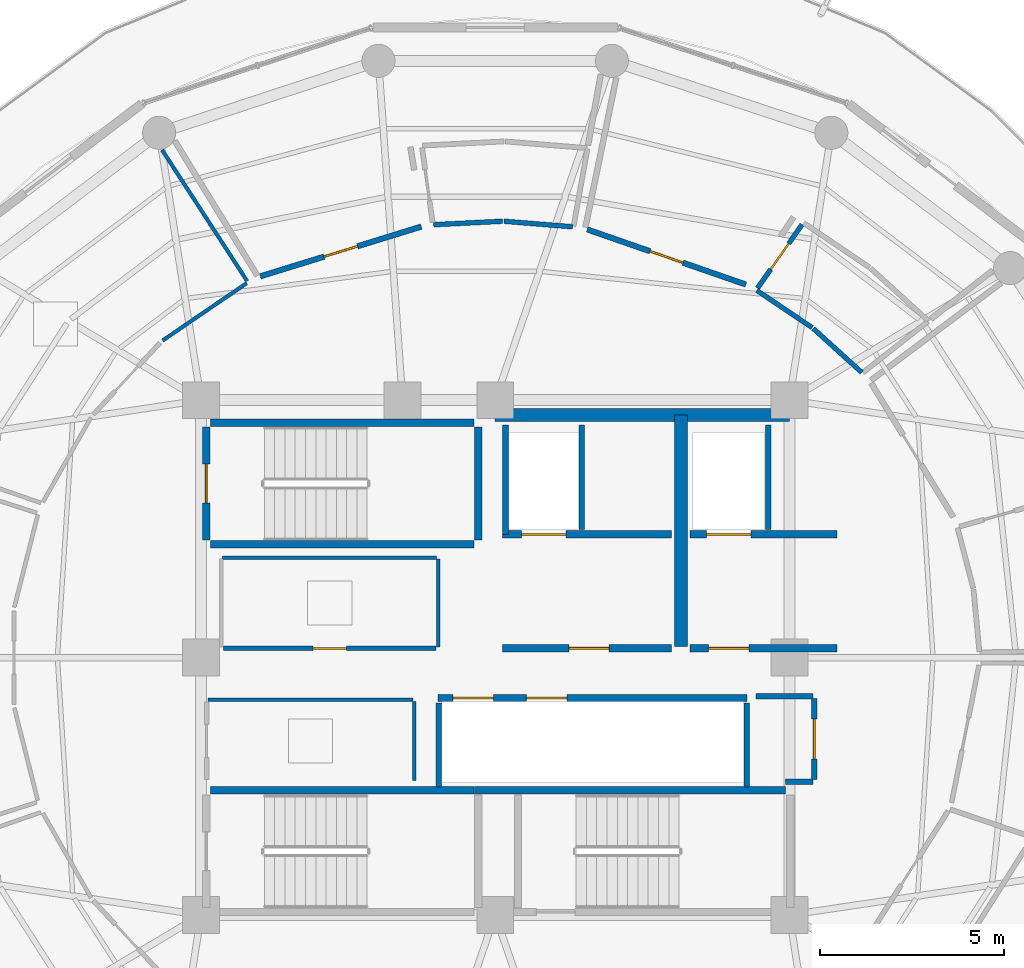
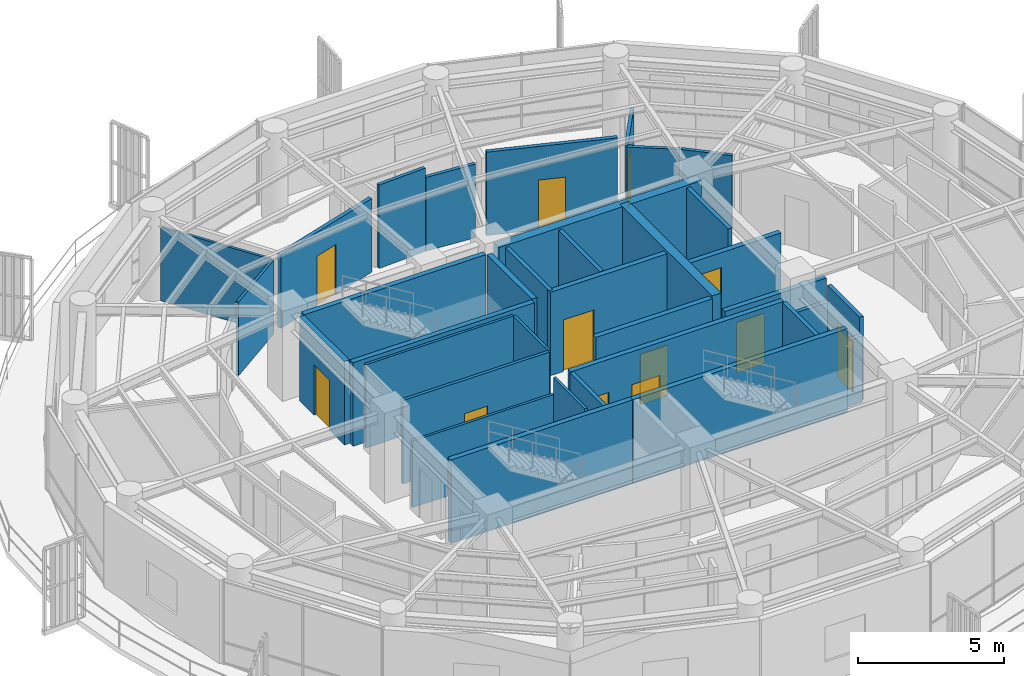
# One storey, part 17 of 23: 35 walls, 12 doors, 12 openings.
"""IFC4 building model written with IfcOpenShell, lengths in metres."""

from ifc_helpers import new_model, si_unit, direction, frame, frame_2d, origin, place, context, subcontext, project, spatial, rectangle, extrude, material, layer, layer_set, type_object, element, fill, save


model = new_model("IFC4")

# Units and contexts
model_context = context("Model", 3, precision=1e-05, world=origin(), true_north=direction((0.0, 1.0)))
body_context = subcontext(model_context, "Body", "Model", "MODEL_VIEW")
ifc_project = project(units=[si_unit("LENGTHUNIT", "METRE"), si_unit("AREAUNIT", "SQUARE_METRE"), si_unit("VOLUMEUNIT", "CUBIC_METRE"), si_unit("PLANEANGLEUNIT", "RADIAN"), si_unit("MASSUNIT", "GRAM", prefix="KILO")], contexts=[model_context])

# Site, building, storey
site_placement = place(None, origin())
site = spatial("IfcSite", under=ifc_project, at=site_placement, CompositionType="ELEMENT")
building_placement = place(site_placement, origin())
building = spatial("IfcBuilding", under=site, at=building_placement, Name="Kelanora Arch Commons", CompositionType="ELEMENT")
storey_placement = place(building_placement, frame((0.0, 0.0, 256.199951171875)))
storey = spatial("IfcBuildingStorey", under=building, at=storey_placement, Name="L65", CompositionType="ELEMENT", Elevation=256.199951171875)

# Walls
ifc_material_1 = material(Name="Autoclaved aerated concrete blockwork with fire plaster", Category="masonry")
ifc_layer_1 = layer(ifc_material_1, 0.14990234375)
ifc_layer_set_1 = layer_set([ifc_layer_1], Name="Autoclaved aerated concrete blockwork with fire plaster")
wall_type_1 = type_object("IfcWallType", Name="W-COMP-150", PredefinedType="PARTITIONING", material=ifc_layer_set_1)
wall_1_placement = place(storey_placement, frame((74.280029296875, 61.35009765625, 0.0), z_axis=(0.0, 0.0, 1.0), x_axis=(0.0, 1.0, 0.0)))
element("IfcWall", 1, at=wall_1_placement, inside=storey, type_object=wall_type_1, Name="Firefighting Lift 1 West Shaft Wall L65", PredefinedType="PARTITIONING", context=body_context, shape_type="SweptSolid", body=[
    extrude(rectangle(XDim=2.969970703125, YDim=0.14990234375, at=frame_2d((1.48486328125, 0.0))), origin(), (0.0, 0.0, 1.0), 3.47998046875),
])
for number, where, z_axis, x_axis, name in (
    (2, (76.360107421875, 61.47998046875, 0.0), (0.0, 0.0, 1.0), (0.0, 1.0, 0.0), "Firefighting Lift 1 East Shaft Wall L65"),
    (3, (81.419921875, 61.47998046875, 0.0), (0.0, 0.0, 1.0), (0.0, 1.0, 0.0), "Firefighting Lift 2 East Shaft Wall L65"),
):
    element("IfcWall", number, at=place(storey_placement, frame(where, z_axis=z_axis, x_axis=x_axis)), inside=storey, type_object=wall_type_1, Name=name, PredefinedType="PARTITIONING", context=body_context, shape_type="SweptSolid", body=[
        extrude(rectangle(XDim=2.840087890625, YDim=0.14990234375, at=frame_2d((1.419921875, 0.0))), origin(), (0.0, 0.0, 1.0), 3.47998046875),
    ])
for number, where, z_axis, x_axis, name in (
    (4, (72.4599609375, 54.47998046875, 0.0), (0.0, 0.0, 1.0), (0.0, 1.0, 0.0), "South Lift Bank West Wall L65"),
    (5, (80.840087890625, 54.47998046875, 0.0), (0.0, 0.0, 1.0), (0.0, 1.0, 0.0), "South Lift Bank East Wall L65"),
):
    element("IfcWall", number, at=place(storey_placement, frame(where, z_axis=z_axis, x_axis=x_axis)), inside=storey, type_object=wall_type_1, Name=name, PredefinedType="PARTITIONING", context=body_context, shape_type="SweptSolid", body=[
        extrude(rectangle(XDim=2.2900390625, YDim=0.14990234375, at=frame_2d((1.14501953125, 0.0))), origin(), (0.0, 0.0, 1.0), 3.47998046875),
    ])

# Wall, opening, door
wall_2_placement = place(storey_placement, frame((82.679931640625, 54.679931640625, 0.0), z_axis=(0.0, 0.0, 1.0), x_axis=(0.0, 1.0, 0.0)))
wall_2 = element("IfcWall", 6, at=wall_2_placement, inside=storey, type_object=wall_type_1, Name="Core Housekeeping Store L65 Entry Partition", PredefinedType="PARTITIONING", context=body_context, shape_type="SweptSolid", body=[
    extrude(rectangle(XDim=2.2099609375, YDim=0.14990234375, at=frame_2d((1.10498046875, 0.0))), origin(), (0.0, 0.0, 1.0), 3.47998046875),
])
opening_1_placement = place(wall_2_placement, frame((0.56494140625, 0.0, 0.0)))
opening_1 = element("IfcOpeningElement", 7, at=opening_1_placement, cuts=wall_2, Name="Opening D-PLT1", PredefinedType="OPENING", context=body_context, shape_type="SweptSolid", body=[
    extrude(rectangle(XDim=1.080078125, YDim=2.10009765625, at=frame_2d((0.5400390625, 1.050048828125))), frame((0.0, 0.0849609375, 0.0), z_axis=(0.0, -1.0, 0.0), x_axis=(1.0, 0.0, 0.0)), (0.0, 0.0, 1.0), 0.169921875),
])
ifc_material_2 = material(Name="Galvanised steel plant and riser fire door", Category="steel")
door_type_1 = type_object("IfcDoorType", Name="D-PLT-110", OperationType="NOTDEFINED", PredefinedType="DOOR", material=ifc_material_2)
door_1_placement = place(opening_1_placement, origin())
door_1 = element("IfcDoor", 8, at=door_1_placement, inside=storey, type_object=door_type_1, Name="Core Housekeeping Store L65 Door", OperationType="SINGLE_SWING_LEFT", OverallHeight=2.10009765625, OverallWidth=1.080078125, PredefinedType="DOOR", context=body_context, shape_type="SweptSolid", body=[
    extrude(rectangle(XDim=1.080078125, YDim=2.10009765625, at=frame_2d((0.5400390625, 1.050048828125))), frame((0.0, 0.02490234375, 0.0), z_axis=(0.0, -1.0, 0.0), x_axis=(1.0, 0.0, 0.0)), (0.0, 0.0, 1.0), 0.050048828125),
])
fill(opening_1, door_1)

wall_3_placement = place(storey_placement, frame((80.818359375, 68.144775390625, 0.0), z_axis=(0.0, 0.0, 1.0), x_axis=(-0.944627899296, 0.328143462331, 0.0)))
wall_3 = element("IfcWall", 9, at=wall_3_placement, inside=storey, type_object=wall_type_1, Name="Co-Living Studio L65-02 Entry Partition", PredefinedType="PARTITIONING", context=body_context, shape_type="SweptSolid", body=[
    extrude(rectangle(XDim=4.569580078125, YDim=0.14990234375, at=frame_2d((2.28466796875, 0.0))), origin(), (0.0, 0.0, 1.0), 3.47998046875),
])
opening_2_placement = place(wall_3_placement, frame((1.81005859375, 0.0, 0.0)))
opening_2 = element("IfcOpeningElement", 10, at=opening_2_placement, cuts=wall_3, Name="Opening D-CLU1", PredefinedType="OPENING", context=body_context, shape_type="SweptSolid", body=[
    extrude(rectangle(XDim=0.949951171875, YDim=2.080078125, at=frame_2d((0.47509765625, 1.0400390625))), frame((0.0, 0.0849609375, 0.0), z_axis=(0.0, -1.0, 0.0), x_axis=(1.0, 0.0, 0.0)), (0.0, 0.0, 1.0), 0.169921875),
])
ifc_material_3 = material(Name="Solid-core acoustic timber cluster entry fire door", Category="wood")
door_type_2 = type_object("IfcDoorType", Name="D-CLU-95", OperationType="NOTDEFINED", PredefinedType="DOOR", material=ifc_material_3)
door_2_placement = place(opening_2_placement, origin())
door_2 = element("IfcDoor", 11, at=door_2_placement, inside=storey, type_object=door_type_2, Name="Co-Living Studio L65-02 Door", OperationType="SINGLE_SWING_LEFT", OverallHeight=2.080078125, OverallWidth=0.949951171875, PredefinedType="DOOR", context=body_context, shape_type="SweptSolid", body=[
    extrude(rectangle(XDim=0.949951171875, YDim=2.080078125, at=frame_2d((0.47509765625, 1.0400390625))), frame((0.0, 0.02490234375, 0.0), z_axis=(0.0, -1.0, 0.0), x_axis=(1.0, 0.0, 0.0)), (0.0, 0.0, 1.0), 0.050048828125),
])
fill(opening_2, door_2)

wall_4_placement = place(storey_placement, frame((71.98876953125, 69.72119140625, 0.0), z_axis=(0.0, 0.0, 1.0), x_axis=(-0.955414123224, -0.295269119863, 0.0)))
wall_4 = element("IfcWall", 12, at=wall_4_placement, inside=storey, type_object=wall_type_1, Name="Co-Living Studio L65-03 Entry Partition", PredefinedType="PARTITIONING", context=body_context, shape_type="SweptSolid", body=[
    extrude(rectangle(XDim=4.580810546875, YDim=0.14990234375, at=frame_2d((2.29052734375, 0.0))), origin(), (0.0, 0.0, 1.0), 3.074951171875),
])
opening_3_placement = place(wall_4_placement, frame((1.81494140625, 0.0, 0.0)))
opening_3 = element("IfcOpeningElement", 13, at=opening_3_placement, cuts=wall_4, Name="Opening D-CLU1", PredefinedType="OPENING", context=body_context, shape_type="SweptSolid", body=[
    extrude(rectangle(XDim=0.949951171875, YDim=2.080078125, at=frame_2d((0.47509765625, 1.0400390625))), frame((0.0, 0.0849609375, 0.0), z_axis=(0.0, -1.0, 0.0), x_axis=(1.0, 0.0, 0.0)), (0.0, 0.0, 1.0), 0.169921875),
])
door_3_placement = place(opening_3_placement, origin())
door_3 = element("IfcDoor", 14, at=door_3_placement, inside=storey, type_object=door_type_2, Name="Co-Living Studio L65-03 Door", OperationType="SINGLE_SWING_LEFT", OverallHeight=2.080078125, OverallWidth=0.949951171875, PredefinedType="DOOR", context=body_context, shape_type="SweptSolid", body=[
    extrude(rectangle(XDim=0.949951171875, YDim=2.080078125, at=frame_2d((0.47509765625, 1.0400390625))), frame((0.0, 0.02490234375, 0.0), z_axis=(0.0, -1.0, 0.0), x_axis=(1.0, 0.0, 0.0)), (0.0, 0.0, 1.0), 0.050048828125),
])
fill(opening_3, door_3)

# Walls
wall_5_placement = place(storey_placement, frame((81.89990234375, 54.6201171875, 0.0), z_axis=(0.0, 0.0, 1.0), x_axis=(1.0, 0.0, 0.0)))
element("IfcWall", 15, at=wall_5_placement, inside=storey, type_object=wall_type_1, Name="Core Housekeeping Store L65 Enclosure Partition 1", PredefinedType="PARTITIONING", context=body_context, shape_type="SweptSolid", body=[
    extrude(rectangle(XDim=0.739990234375, YDim=0.14990234375, at=frame_2d((0.3701171875, 0.0))), origin(), (0.0, 0.0, 1.0), 2.775146484375),
])
wall_6_placement = place(storey_placement, frame((82.639892578125, 56.949951171875, 0.0), z_axis=(0.0, 0.0, 1.0), x_axis=(-1.0, 0.0, 0.0)))
element("IfcWall", 16, at=wall_6_placement, inside=storey, type_object=wall_type_1, Name="Core Housekeeping Store L65 Enclosure Partition 3", PredefinedType="PARTITIONING", context=body_context, shape_type="SweptSolid", body=[
    extrude(rectangle(XDim=1.5498046875, YDim=0.14990234375, at=frame_2d((0.77490234375, 0.0))), origin(), (0.0, 0.0, 1.0), 2.775146484375),
])
ifc_material_4 = material(Name="Concrete C50/60", Category="concrete")
ifc_layer_2 = layer(ifc_material_4, 0.35009765625)
ifc_layer_set_2 = layer_set([ifc_layer_2], Name="Concrete C50/60")
wall_type_2 = type_object("IfcWallType", Name="W-CORE-350", PredefinedType="SHEAR", material=ifc_layer_set_2)
wall_7_placement = place(storey_placement, frame((74.0, 64.60009765625, 0.0), z_axis=(0.0, 0.0, 1.0), x_axis=(1.0, 0.0, 0.0)))
element("IfcWall", 17, at=wall_7_placement, inside=storey, type_object=wall_type_2, Name="Core Shear Spine L65-CN-E", PredefinedType="SHEAR", context=body_context, shape_type="SweptSolid", body=[
    extrude(rectangle(XDim=8.0, YDim=0.35009765625, at=frame_2d((4.0, 0.0))), origin(), (0.0, 0.0, 1.0), 3.489990234375),
])
wall_8_placement = place(storey_placement, frame((79.050048828125, 58.300048828125, 0.0), z_axis=(0.0, 0.0, 1.0), x_axis=(0.0, 1.0, 0.0)))
element("IfcWall", 18, at=wall_8_placement, inside=storey, type_object=wall_type_2, Name="Core Shear Spine L65-CE-N", PredefinedType="SHEAR", context=body_context, shape_type="SweptSolid", body=[
    extrude(rectangle(XDim=6.300048828125, YDim=0.35009765625, at=frame_2d((3.14990234375, 0.0))), origin(), (0.0, 0.0, 1.0), 3.489990234375),
])

# Wall, opening, door
ifc_material_5 = material(Name="Concrete C40/50", Category="concrete")
ifc_layer_3 = layer(ifc_material_5, 0.199951171875)
ifc_layer_set_3 = layer_set([ifc_layer_3], Name="Concrete C40/50")
wall_type_3 = type_object("IfcWallType", Name="W-FFL-200", PredefinedType="SOLIDWALL", material=ifc_layer_set_3)
wall_9_placement = place(storey_placement, frame((74.199951171875, 61.35009765625, 0.0), z_axis=(0.0, 0.0, 1.0), x_axis=(1.0, 0.0, 0.0)))
wall_9 = element("IfcWall", 19, at=wall_9_placement, inside=storey, type_object=wall_type_3, Name="Firefighting Lift 1 Shaft Front L65", PredefinedType="SOLIDWALL", context=body_context, shape_type="SweptSolid", body=[
    extrude(rectangle(XDim=4.60009765625, YDim=0.199951171875, at=frame_2d((2.300048828125, 0.0))), origin(), (0.0, 0.0, 1.0), 3.47998046875),
])
opening_4_placement = place(wall_9_placement, frame((0.52001953125, 0.0, 0.0)))
opening_4 = element("IfcOpeningElement", 20, at=opening_4_placement, cuts=wall_9, Name="Opening LD-FF", PredefinedType="OPENING", context=body_context, shape_type="SweptSolid", body=[
    extrude(rectangle(XDim=1.199951171875, YDim=2.14990234375, at=frame_2d((0.60009765625, 1.074951171875))), frame((0.0, 0.10986328125, 0.0), z_axis=(0.0, -1.0, 0.0), x_axis=(1.0, 0.0, 0.0)), (0.0, 0.0, 1.0), 0.219970703125),
])
ifc_material_6 = material(Name="Fire-rated firefighters lift sliding landing door")
door_type_3 = type_object("IfcDoorType", Name="D-LIFT-FF", OperationType="NOTDEFINED", PredefinedType="DOOR", material=ifc_material_6)
door_4_placement = place(opening_4_placement, origin())
door_4 = element("IfcDoor", 21, at=door_4_placement, inside=storey, type_object=door_type_3, Name="Firefighting Lift LF-FF1 Landing Door L65", OperationType="DOUBLE_DOOR_SLIDING", OverallHeight=2.14990234375, OverallWidth=1.199951171875, PredefinedType="DOOR", context=body_context, shape_type="SweptSolid", body=[
    extrude(rectangle(XDim=1.199951171875, YDim=2.14990234375, at=frame_2d((0.60009765625, 1.074951171875))), frame((0.0, 0.02490234375, 0.0), z_axis=(0.0, -1.0, 0.0), x_axis=(1.0, 0.0, 0.0)), (0.0, 0.0, 1.0), 0.050048828125),
])
fill(opening_4, door_4)

wall_10_placement = place(storey_placement, frame((79.300048828125, 61.35009765625, 0.0), z_axis=(0.0, 0.0, 1.0), x_axis=(1.0, 0.0, 0.0)))
wall_10 = element("IfcWall", 22, at=wall_10_placement, inside=storey, type_object=wall_type_3, Name="Firefighting Lift 2 Shaft Front L65", PredefinedType="SOLIDWALL", context=body_context, shape_type="SweptSolid", body=[
    extrude(rectangle(XDim=4.0, YDim=0.199951171875, at=frame_2d((2.0, 0.0))), origin(), (0.0, 0.0, 1.0), 2.775146484375),
])
opening_5_placement = place(wall_10_placement, frame((0.449951171875, 0.0, 0.0)))
opening_5 = element("IfcOpeningElement", 23, at=opening_5_placement, cuts=wall_10, Name="Opening LD-FF", PredefinedType="OPENING", context=body_context, shape_type="SweptSolid", body=[
    extrude(rectangle(XDim=1.199951171875, YDim=2.14990234375, at=frame_2d((0.60009765625, 1.074951171875))), frame((0.0, 0.10986328125, 0.0), z_axis=(0.0, -1.0, 0.0), x_axis=(1.0, 0.0, 0.0)), (0.0, 0.0, 1.0), 0.219970703125),
])
door_5_placement = place(opening_5_placement, origin())
door_5 = element("IfcDoor", 24, at=door_5_placement, inside=storey, type_object=door_type_3, Name="Firefighting Lift LF-FF2 Landing Door L65", OperationType="DOUBLE_DOOR_SLIDING", OverallHeight=2.14990234375, OverallWidth=1.199951171875, PredefinedType="DOOR", context=body_context, shape_type="SweptSolid", body=[
    extrude(rectangle(XDim=1.199951171875, YDim=2.14990234375, at=frame_2d((0.60009765625, 1.074951171875))), frame((0.0, 0.02490234375, 0.0), z_axis=(0.0, -1.0, 0.0), x_axis=(1.0, 0.0, 0.0)), (0.0, 0.0, 1.0), 0.050048828125),
])
fill(opening_5, door_5)

wall_11_placement = place(storey_placement, frame((74.199951171875, 58.25, 0.0), z_axis=(0.0, 0.0, 1.0), x_axis=(1.0, 0.0, 0.0)))
wall_11 = element("IfcWall", 25, at=wall_11_placement, inside=storey, type_object=wall_type_3, Name="Firefighting Lobby 1 Enclosure Wall L65", PredefinedType="SOLIDWALL", context=body_context, shape_type="SweptSolid", body=[
    extrude(rectangle(XDim=4.60009765625, YDim=0.199951171875, at=frame_2d((2.300048828125, 0.0))), origin(), (0.0, 0.0, 1.0), 3.47998046875),
])
opening_6_placement = place(wall_11_placement, frame((1.800048828125, 0.0, 0.0)))
opening_6 = element("IfcOpeningElement", 26, at=opening_6_placement, cuts=wall_11, Name="Opening D-FFL1", PredefinedType="OPENING", context=body_context, shape_type="SweptSolid", body=[
    extrude(rectangle(XDim=1.10009765625, YDim=2.10009765625, at=frame_2d((0.550048828125, 1.050048828125))), frame((0.0, 0.10986328125, 0.0), z_axis=(0.0, -1.0, 0.0), x_axis=(1.0, 0.0, 0.0)), (0.0, 0.0, 1.0), 0.219970703125),
])
ifc_material_7 = material(Name="Smoke-sealed firefighting lobby fire door")
door_type_4 = type_object("IfcDoorType", Name="D-FFL-110", OperationType="NOTDEFINED", PredefinedType="DOOR", material=ifc_material_7)
door_6_placement = place(opening_6_placement, frame((1.10009765625, 0.0, 0.0), z_axis=(0.0, 0.0, 1.0), x_axis=(-1.0, 0.0, 0.0)))
door_6 = element("IfcDoor", 27, at=door_6_placement, inside=storey, type_object=door_type_4, Name="Firefighting Lobby 1 Door L65", OperationType="SINGLE_SWING_LEFT", OverallHeight=2.10009765625, OverallWidth=1.10009765625, PredefinedType="DOOR", context=body_context, shape_type="SweptSolid", body=[
    extrude(rectangle(XDim=1.10009765625, YDim=2.10009765625, at=frame_2d((0.550048828125, 1.050048828125))), frame((0.0, 0.02490234375, 0.0), z_axis=(0.0, -1.0, 0.0), x_axis=(1.0, 0.0, 0.0)), (0.0, 0.0, 1.0), 0.050048828125),
])
fill(opening_6, door_6)

wall_12_placement = place(storey_placement, frame((79.300048828125, 58.25, 0.0), z_axis=(0.0, 0.0, 1.0), x_axis=(1.0, 0.0, 0.0)))
wall_12 = element("IfcWall", 28, at=wall_12_placement, inside=storey, type_object=wall_type_3, Name="Firefighting Lobby 2 Enclosure Wall L65", PredefinedType="SOLIDWALL", context=body_context, shape_type="SweptSolid", body=[
    extrude(rectangle(XDim=4.0, YDim=0.199951171875, at=frame_2d((2.0, 0.0))), origin(), (0.0, 0.0, 1.0), 2.775146484375),
])
opening_7_placement = place(wall_12_placement, frame((0.5, 0.0, 0.0)))
opening_7 = element("IfcOpeningElement", 29, at=opening_7_placement, cuts=wall_12, Name="Opening D-FFL1", PredefinedType="OPENING", context=body_context, shape_type="SweptSolid", body=[
    extrude(rectangle(XDim=1.10009765625, YDim=2.10009765625, at=frame_2d((0.550048828125, 1.050048828125))), frame((0.0, 0.10986328125, 0.0), z_axis=(0.0, -1.0, 0.0), x_axis=(1.0, 0.0, 0.0)), (0.0, 0.0, 1.0), 0.219970703125),
])
door_7_placement = place(opening_7_placement, frame((1.10009765625, 0.0, 0.0), z_axis=(0.0, 0.0, 1.0), x_axis=(-1.0, 0.0, 0.0)))
door_7 = element("IfcDoor", 30, at=door_7_placement, inside=storey, type_object=door_type_4, Name="Firefighting Lobby 2 Door L65", OperationType="SINGLE_SWING_RIGHT", OverallHeight=2.10009765625, OverallWidth=1.10009765625, PredefinedType="DOOR", context=body_context, shape_type="SweptSolid", body=[
    extrude(rectangle(XDim=1.10009765625, YDim=2.10009765625, at=frame_2d((0.550048828125, 1.050048828125))), frame((0.0, 0.02490234375, 0.0), z_axis=(0.0, -1.0, 0.0), x_axis=(1.0, 0.0, 0.0)), (0.0, 0.0, 1.0), 0.050048828125),
])
fill(opening_7, door_7)

# Wall, openings, doors
wall_13_placement = place(storey_placement, frame((72.449951171875, 56.89990234375, 0.0), z_axis=(0.0, 0.0, 1.0), x_axis=(1.0, 0.0, 0.0)))
wall_13 = element("IfcWall", 31, at=wall_13_placement, inside=storey, type_object=wall_type_3, Name="Mid/High/Express Lift Shaft Front L65", PredefinedType="SOLIDWALL", context=body_context, shape_type="SweptSolid", body=[
    extrude(rectangle(XDim=8.400146484375, YDim=0.199951171875, at=frame_2d((4.2001953125, 0.0))), origin(), (0.0, 0.0, 1.0), 3.47998046875),
])
opening_8_placement = place(wall_13_placement, frame((0.39990234375, 0.0, 0.0)))
opening_8 = element("IfcOpeningElement", 32, at=opening_8_placement, cuts=wall_13, Name="Opening LD-01", PredefinedType="OPENING", context=body_context, shape_type="SweptSolid", body=[
    extrude(rectangle(XDim=1.10009765625, YDim=2.10009765625, at=frame_2d((0.550048828125, 1.050048828125))), frame((0.0, 0.10986328125, 0.0), z_axis=(0.0, -1.0, 0.0), x_axis=(1.0, 0.0, 0.0)), (0.0, 0.0, 1.0), 0.219970703125),
])
opening_9_placement = place(wall_13_placement, frame((2.39990234375, 0.0, 0.0)))
opening_9 = element("IfcOpeningElement", 33, at=opening_9_placement, cuts=wall_13, Name="Opening LD-01", PredefinedType="OPENING", context=body_context, shape_type="SweptSolid", body=[
    extrude(rectangle(XDim=1.10009765625, YDim=2.10009765625, at=frame_2d((0.550048828125, 1.050048828125))), frame((0.0, 0.10986328125, 0.0), z_axis=(0.0, -1.0, 0.0), x_axis=(1.0, 0.0, 0.0)), (0.0, 0.0, 1.0), 0.219970703125),
])
ifc_material_8 = material(Name="Stainless steel passenger lift sliding landing door", Category="steel")
door_type_5 = type_object("IfcDoorType", Name="D-LIFT-110", OperationType="NOTDEFINED", PredefinedType="DOOR", material=ifc_material_8)
door_8_placement = place(opening_8_placement, origin())
door_8 = element("IfcDoor", 34, at=door_8_placement, inside=storey, type_object=door_type_5, Name="Passenger Lift LF-P7 Landing Door L65", OperationType="DOUBLE_DOOR_SLIDING", OverallHeight=2.10009765625, OverallWidth=1.10009765625, PredefinedType="DOOR", context=body_context, shape_type="SweptSolid", body=[
    extrude(rectangle(XDim=1.10009765625, YDim=2.10009765625, at=frame_2d((0.550048828125, 1.050048828125))), frame((0.0, 0.02490234375, 0.0), z_axis=(0.0, -1.0, 0.0), x_axis=(1.0, 0.0, 0.0)), (0.0, 0.0, 1.0), 0.050048828125),
])
fill(opening_8, door_8)
door_9_placement = place(opening_9_placement, origin())
door_9 = element("IfcDoor", 35, at=door_9_placement, inside=storey, type_object=door_type_5, Name="Passenger Lift LF-P8 Landing Door L65", OperationType="DOUBLE_DOOR_SLIDING", OverallHeight=2.10009765625, OverallWidth=1.10009765625, PredefinedType="DOOR", context=body_context, shape_type="SweptSolid", body=[
    extrude(rectangle(XDim=1.10009765625, YDim=2.10009765625, at=frame_2d((0.550048828125, 1.050048828125))), frame((0.0, 0.02490234375, 0.0), z_axis=(0.0, -1.0, 0.0), x_axis=(1.0, 0.0, 0.0)), (0.0, 0.0, 1.0), 0.050048828125),
])
fill(opening_9, door_9)

# Walls
ifc_material_9 = material(Name="Lightweight fire-rated acoustic stud partition")
ifc_layer_4 = layer(ifc_material_9, 0.10009765625)
ifc_layer_set_4 = layer_set([ifc_layer_4], Name="Lightweight fire-rated acoustic stud partition")
wall_type_4 = type_object("IfcWallType", Name="W-PART-100", PredefinedType="PARTITIONING", material=ifc_layer_set_4)
wall_14_placement = place(storey_placement, frame((72.449951171875, 58.2900390625, 0.0), z_axis=(0.0, 0.0, 1.0), x_axis=(0.0, 1.0, 0.0)))
element("IfcWall", 36, at=wall_14_placement, inside=storey, type_object=wall_type_4, Name="Reclaimed Core Study Pod Lounge L65 Enclosure Partition 2", PredefinedType="PARTITIONING", context=body_context, shape_type="SweptSolid", body=[
    extrude(rectangle(XDim=2.389892578125, YDim=0.10009765625, at=frame_2d((1.19482421875, 0.0))), origin(), (0.0, 0.0, 1.0), 3.47998046875),
])
wall_15_placement = place(storey_placement, frame((72.409912109375, 60.719970703125, 0.0), z_axis=(0.0, 0.0, 1.0), x_axis=(-1.0, 0.0, 0.0)))
element("IfcWall", 37, at=wall_15_placement, inside=storey, type_object=wall_type_4, Name="Reclaimed Core Study Pod Lounge L65 Enclosure Partition 3", PredefinedType="PARTITIONING", context=body_context, shape_type="SweptSolid", body=[
    extrude(rectangle(XDim=5.81982421875, YDim=0.10009765625, at=frame_2d((2.909912109375, 0.0))), origin(), (0.0, 0.0, 1.0), 3.47998046875),
])
wall_16_placement = place(storey_placement, frame((71.800048828125, 54.659912109375, 0.0), z_axis=(0.0, 0.0, 1.0), x_axis=(0.0, 1.0, 0.0)))
element("IfcWall", 38, at=wall_16_placement, inside=storey, type_object=wall_type_4, Name="Reclaimed Core High-Zone Pantry and Copy Room L65 Enclosure Partition 2", PredefinedType="PARTITIONING", context=body_context, shape_type="SweptSolid", body=[
    extrude(rectangle(XDim=2.150146484375, YDim=0.10009765625, at=frame_2d((1.0751953125, 0.0))), origin(), (0.0, 0.0, 1.0), 3.47998046875),
])
wall_17_placement = place(storey_placement, frame((71.760009765625, 56.85009765625, 0.0), z_axis=(0.0, 0.0, 1.0), x_axis=(-1.0, 0.0, 0.0)))
element("IfcWall", 39, at=wall_17_placement, inside=storey, type_object=wall_type_4, Name="Reclaimed Core High-Zone Pantry and Copy Room L65 Enclosure Partition 3", PredefinedType="PARTITIONING", context=body_context, shape_type="SweptSolid", body=[
    extrude(rectangle(XDim=5.570068359375, YDim=0.10009765625, at=frame_2d((2.78515625, 0.0))), origin(), (0.0, 0.0, 1.0), 2.775146484375),
])
wall_18_placement = place(storey_placement, frame((67.242919921875, 68.18359375, 0.0), z_axis=(0.0, 0.0, 1.0), x_axis=(-0.826087380575, -0.563542047814, 0.0)))
element("IfcWall", 40, at=wall_18_placement, inside=storey, type_object=wall_type_4, Name="Communal Dining and Social Hall L65-04 Enclosure Partition 1", PredefinedType="PARTITIONING", context=body_context, shape_type="SweptSolid", body=[
    extrude(rectangle(XDim=2.768310546875, YDim=0.10009765625, at=frame_2d((1.38427734375, 0.0))), origin(), (0.0, 0.0, 1.0), 3.074951171875),
])
wall_19_placement = place(storey_placement, frame((64.941650390625, 71.80419921875, 0.0), z_axis=(0.0, 0.0, 1.0), x_axis=(0.544234825024, -0.838932926539, 0.0)))
element("IfcWall", 41, at=wall_19_placement, inside=storey, type_object=wall_type_4, Name="Communal Dining and Social Hall L65-04 Enclosure Partition 8", PredefinedType="PARTITIONING", context=body_context, shape_type="SweptSolid", body=[
    extrude(rectangle(XDim=4.2490234375, YDim=0.10009765625, at=frame_2d((2.12451171875, 0.0))), origin(), (0.0, 0.0, 1.0), 3.074951171875),
])

# Wall, opening, door
ifc_material_10 = material(Name="Acoustic twin-stud fire-rated gypsum partition")
ifc_layer_5 = layer(ifc_material_10, 0.1201171875)
ifc_layer_set_5 = layer_set([ifc_layer_5], Name="Acoustic twin-stud fire-rated gypsum partition")
wall_type_5 = type_object("IfcWallType", Name="W-PART-120", PredefinedType="PARTITIONING", material=ifc_layer_set_5)
wall_20_placement = place(storey_placement, frame((66.610107421875, 58.25, 0.0), z_axis=(0.0, 0.0, 1.0), x_axis=(1.0, 0.0, 0.0)))
wall_20 = element("IfcWall", 42, at=wall_20_placement, inside=storey, type_object=wall_type_5, Name="Reclaimed Core Study Pod Lounge L65 Entry Partition", PredefinedType="PARTITIONING", context=body_context, shape_type="SweptSolid", body=[
    extrude(rectangle(XDim=5.77978515625, YDim=0.1201171875, at=frame_2d((2.889892578125, 0.0))), origin(), (0.0, 0.0, 1.0), 3.47998046875),
])
opening_10_placement = place(wall_20_placement, frame((2.43994140625, 0.0, 0.0)))
opening_10 = element("IfcOpeningElement", 43, at=opening_10_placement, cuts=wall_20, Name="Opening D-RM1", PredefinedType="OPENING", context=body_context, shape_type="SweptSolid", body=[
    extrude(rectangle(XDim=0.89990234375, YDim=2.080078125, at=frame_2d((0.449951171875, 1.0400390625))), frame((0.0, 0.070068359375, 0.0), z_axis=(0.0, -1.0, 0.0), x_axis=(1.0, 0.0, 0.0)), (0.0, 0.0, 1.0), 0.14013671875),
])
ifc_material_11 = material(Name="Acoustic fire-rated timber study and lounge door", Category="wood")
door_type_6 = type_object("IfcDoorType", Name="D-ROOM-90", OperationType="NOTDEFINED", PredefinedType="DOOR", material=ifc_material_11)
door_10_placement = place(opening_10_placement, origin())
door_10 = element("IfcDoor", 44, at=door_10_placement, inside=storey, type_object=door_type_6, Name="Reclaimed Core Study Pod Lounge L65 Door", OperationType="SINGLE_SWING_RIGHT", OverallHeight=2.080078125, OverallWidth=0.89990234375, PredefinedType="DOOR", context=body_context, shape_type="SweptSolid", body=[
    extrude(rectangle(XDim=0.89990234375, YDim=2.080078125, at=frame_2d((0.449951171875, 1.0400390625))), frame((0.0, 0.02490234375, 0.0), z_axis=(0.0, -1.0, 0.0), x_axis=(1.0, 0.0, 0.0)), (0.0, 0.0, 1.0), 0.050048828125),
])
fill(opening_10, door_10)

# Walls
ifc_layer_6 = layer(ifc_material_5, 0.199951171875)
ifc_layer_set_6 = layer_set([ifc_layer_6], Name="Concrete C40/50")
wall_type_6 = type_object("IfcWallType", Name="W-STAIR-200", PredefinedType="SHEAR", material=ifc_layer_set_6)
wall_21_placement = place(storey_placement, frame((66.260009765625, 61.080078125, 0.0), z_axis=(0.0, 0.0, 1.0), x_axis=(1.0, 0.0, 0.0)))
element("IfcWall", 45, at=wall_21_placement, inside=storey, type_object=wall_type_6, Name="Stair ST-T1 Shaft Wall S L65", PredefinedType="SHEAR", context=body_context, shape_type="SweptSolid", body=[
    extrude(rectangle(XDim=7.159912109375, YDim=0.199951171875, at=frame_2d((3.580078125, 0.0))), origin(), (0.0, 0.0, 1.0), 3.489990234375),
])
wall_22_placement = place(storey_placement, frame((73.5400390625, 61.199951171875, 0.0), z_axis=(0.0, 0.0, 1.0), x_axis=(0.0, 1.0, 0.0)))
element("IfcWall", 46, at=wall_22_placement, inside=storey, type_object=wall_type_6, Name="Stair ST-T1 Shaft Wall E L65", PredefinedType="SHEAR", context=body_context, shape_type="SweptSolid", body=[
    extrude(rectangle(XDim=3.070068359375, YDim=0.199951171875, at=frame_2d((1.53515625, 0.0))), origin(), (0.0, 0.0, 1.0), 3.489990234375),
])
wall_23_placement = place(storey_placement, frame((73.419921875, 64.389892578125, 0.0), z_axis=(0.0, 0.0, 1.0), x_axis=(-1.0, 0.0, 0.0)))
element("IfcWall", 47, at=wall_23_placement, inside=storey, type_object=wall_type_6, Name="Stair ST-T1 Shaft Wall N L65", PredefinedType="SHEAR", context=body_context, shape_type="SweptSolid", body=[
    extrude(rectangle(XDim=7.159912109375, YDim=0.199951171875, at=frame_2d((3.580078125, 0.0))), origin(), (0.0, 0.0, 1.0), 3.489990234375),
])

# Wall, opening, door
wall_24_placement = place(storey_placement, frame((66.139892578125, 64.27001953125, 0.0), z_axis=(0.0, 0.0, 1.0), x_axis=(0.0, -1.0, 0.0)))
wall_24 = element("IfcWall", 48, at=wall_24_placement, inside=storey, type_object=wall_type_6, Name="Stair ST-T1 Shaft Wall W L65", PredefinedType="SHEAR", context=body_context, shape_type="SweptSolid", body=[
    extrude(rectangle(XDim=3.070068359375, YDim=0.199951171875, at=frame_2d((1.53515625, 0.0))), origin(), (0.0, 0.0, 1.0), 3.489990234375),
])
opening_11_placement = place(wall_24_placement, frame((1.010009765625, 0.0, 0.0)))
opening_11 = element("IfcOpeningElement", 49, at=opening_11_placement, cuts=wall_24, Name="Opening D-ST1", PredefinedType="OPENING", context=body_context, shape_type="SweptSolid", body=[
    extrude(rectangle(XDim=1.050048828125, YDim=2.10009765625, at=frame_2d((0.52490234375, 1.050048828125))), frame((0.0, 0.10986328125, 0.0), z_axis=(0.0, -1.0, 0.0), x_axis=(1.0, 0.0, 0.0)), (0.0, 0.0, 1.0), 0.219970703125),
])
ifc_material_12 = material(Name="Steel fire-rated stairwell escape door", Category="steel")
door_type_7 = type_object("IfcDoorType", Name="D-STAIR-110", OperationType="NOTDEFINED", PredefinedType="DOOR", material=ifc_material_12)
door_11_placement = place(opening_11_placement, origin())
door_11 = element("IfcDoor", 50, at=door_11_placement, inside=storey, type_object=door_type_7, Name="Stair ST-T1 Escape Door L65", OperationType="SINGLE_SWING_LEFT", OverallHeight=2.10009765625, OverallWidth=1.050048828125, PredefinedType="DOOR", context=body_context, shape_type="SweptSolid", body=[
    extrude(rectangle(XDim=1.050048828125, YDim=2.10009765625, at=frame_2d((0.52490234375, 1.050048828125))), frame((0.0, 0.02490234375, 0.0), z_axis=(0.0, -1.0, 0.0), x_axis=(1.0, 0.0, 0.0)), (0.0, 0.0, 1.0), 0.050048828125),
])
fill(opening_11, door_11)

# Walls
wall_25_placement = place(storey_placement, frame((81.89990234375, 54.389892578125, 0.0), z_axis=(0.0, 0.0, 1.0), x_axis=(-1.0, 0.0, 0.0)))
element("IfcWall", 51, at=wall_25_placement, inside=storey, type_object=wall_type_6, Name="Stair ST-T2 Shaft Wall N L65", PredefinedType="SHEAR", context=body_context, shape_type="SweptSolid", body=[
    extrude(rectangle(XDim=8.4599609375, YDim=0.199951171875, at=frame_2d((4.22998046875, 0.0))), origin(), (0.0, 0.0, 1.0), 3.489990234375),
])
wall_26_placement = place(storey_placement, frame((73.419921875, 54.389892578125, 0.0), z_axis=(0.0, 0.0, 1.0), x_axis=(-1.0, 0.0, 0.0)))
element("IfcWall", 52, at=wall_26_placement, inside=storey, type_object=wall_type_6, Name="Stair ST-T3 Shaft Wall N L65", PredefinedType="SHEAR", context=body_context, shape_type="SweptSolid", body=[
    extrude(rectangle(XDim=7.159912109375, YDim=0.199951171875, at=frame_2d((3.580078125, 0.0))), origin(), (0.0, 0.0, 1.0), 3.489990234375),
])

# Wall, opening, door
ifc_material_13 = material(Name="Moisture-resistant fire-rated cement-board plumbing wall")
ifc_layer_7 = layer(ifc_material_13, 0.1298828125)
ifc_layer_set_7 = layer_set([ifc_layer_7], Name="Moisture-resistant fire-rated cement-board plumbing wall")
wall_type_7 = type_object("IfcWallType", Name="W-WET-120", PredefinedType="PLUMBINGWALL", material=ifc_layer_set_7)
wall_27_placement = place(storey_placement, frame((81.13330078125, 68.047119140625, 0.0), z_axis=(0.0, 0.0, 1.0), x_axis=(0.573578732096, 0.819150436787, 0.0)))
wall_27 = element("IfcWall", 53, at=wall_27_placement, inside=storey, type_object=wall_type_7, Name="En-Suite Shower WC L65-02 Entry Partition", PredefinedType="PLUMBINGWALL", context=body_context, shape_type="SweptSolid", body=[
    extrude(rectangle(XDim=2.111572265625, YDim=0.1298828125, at=frame_2d((1.0556640625, 0.0))), origin(), (0.0, 0.0, 1.0), 3.175048828125),
])
opening_12_placement = place(wall_27_placement, frame((0.6259765625, 0.0, 0.0)))
opening_12 = element("IfcOpeningElement", 54, at=opening_12_placement, cuts=wall_27, Name="Opening D-BT1", PredefinedType="OPENING", context=body_context, shape_type="SweptSolid", body=[
    extrude(rectangle(XDim=0.860107421875, YDim=2.050048828125, at=frame_2d((0.43017578125, 1.02490234375))), frame((0.0, 0.074951171875, 0.0), z_axis=(0.0, -1.0, 0.0), x_axis=(1.0, 0.0, 0.0)), (0.0, 0.0, 1.0), 0.14990234375),
])
ifc_material_14 = material(Name="Moisture-sealed fire-rated accessible bathroom door")
door_type_8 = type_object("IfcDoorType", Name="D-BATH-85", OperationType="NOTDEFINED", PredefinedType="DOOR", material=ifc_material_14)
door_12_placement = place(opening_12_placement, origin())
door_12 = element("IfcDoor", 55, at=door_12_placement, inside=storey, type_object=door_type_8, Name="En-Suite Shower WC L65-02 Door", OperationType="SINGLE_SWING_RIGHT", OverallHeight=2.050048828125, OverallWidth=0.860107421875, PredefinedType="DOOR", context=body_context, shape_type="SweptSolid", body=[
    extrude(rectangle(XDim=0.860107421875, YDim=2.050048828125, at=frame_2d((0.43017578125, 1.02490234375))), frame((0.0, 0.02490234375, 0.0), z_axis=(0.0, -1.0, 0.0), x_axis=(1.0, 0.0, 0.0)), (0.0, 0.0, 1.0), 0.050048828125),
])
fill(opening_12, door_12)

# Walls
wall_28_placement = place(storey_placement, frame((83.97021484375, 65.75341796875, 0.0), z_axis=(0.0, 0.0, 1.0), x_axis=(-0.741337974143, 0.671131885767, 0.0)))
element("IfcWall", 56, at=wall_28_placement, inside=storey, type_object=wall_type_7, Name="En-Suite Shower WC L65-02 Enclosure Partition 1", PredefinedType="PLUMBINGWALL", context=body_context, shape_type="SweptSolid", body=[
    extrude(rectangle(XDim=1.783935546875, YDim=0.1298828125, at=frame_2d((0.89208984375, 0.0))), origin(), (0.0, 0.0, 1.0), 3.074951171875),
])
wall_29_placement = place(storey_placement, frame((82.616455078125, 66.97509765625, 0.0), z_axis=(0.0, 0.0, 1.0), x_axis=(-0.82921750612, 0.558926048367, 0.0)))
element("IfcWall", 57, at=wall_29_placement, inside=storey, type_object=wall_type_7, Name="En-Suite Shower WC L65-02 Enclosure Partition 2", PredefinedType="PLUMBINGWALL", context=body_context, shape_type="SweptSolid", body=[
    extrude(rectangle(XDim=1.81005859375, YDim=0.1298828125, at=frame_2d((0.905029296875, 0.0))), origin(), (0.0, 0.0, 1.0), 3.074951171875),
])
wall_30_placement = place(storey_placement, frame((76.108154296875, 69.715576171875, 0.0), z_axis=(0.0, 0.0, 1.0), x_axis=(-0.996754521178, 0.080501083911, 0.0)))
element("IfcWall", 58, at=wall_30_placement, inside=storey, type_object=wall_type_7, Name="En-Suite Shower WC L65-03 Enclosure Partition 1", PredefinedType="PLUMBINGWALL", context=body_context, shape_type="SweptSolid", body=[
    extrude(rectangle(XDim=1.874267578125, YDim=0.1298828125, at=frame_2d((0.93701171875, 0.0))), origin(), (0.0, 0.0, 1.0), 3.074951171875),
])
wall_31_placement = place(storey_placement, frame((74.199951171875, 69.866943359375, 0.0), z_axis=(0.0, 0.0, 1.0), x_axis=(-0.998743232436, -0.050119414036, 0.0)))
element("IfcWall", 59, at=wall_31_placement, inside=storey, type_object=wall_type_7, Name="En-Suite Shower WC L65-03 Enclosure Partition 2", PredefinedType="PLUMBINGWALL", context=body_context, shape_type="SweptSolid", body=[
    extrude(rectangle(XDim=1.87548828125, YDim=0.1298828125, at=frame_2d((0.937744140625, 0.0))), origin(), (0.0, 0.0, 1.0), 3.47998046875),
])

save(model, "model.ifc")
